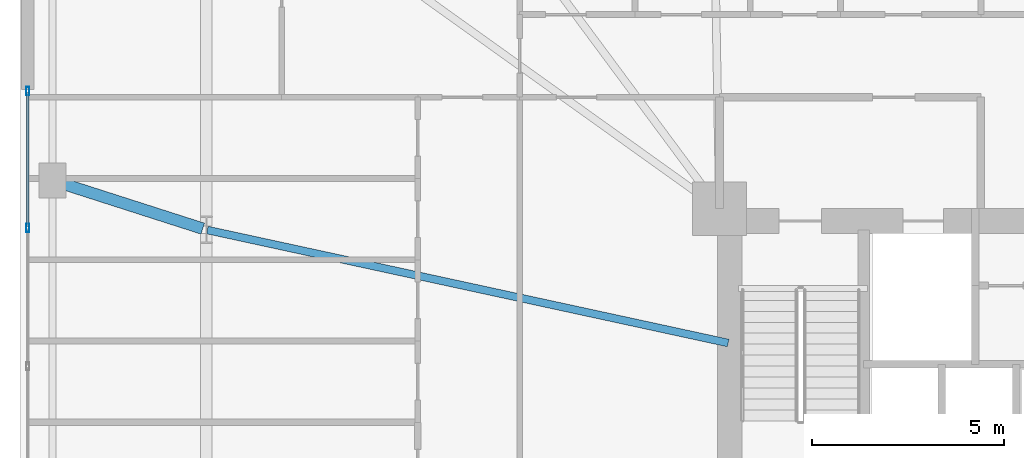
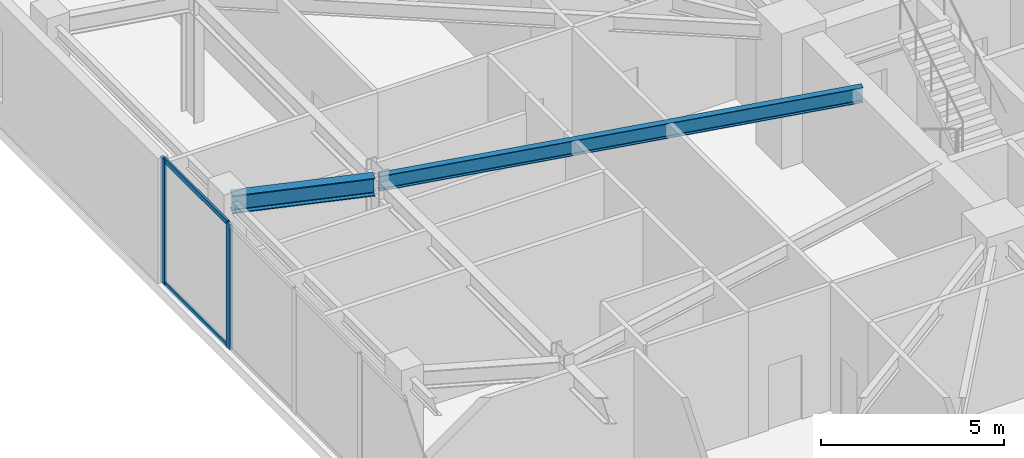
# One storey, part 7 of 21: 4 members, 2 beams, 1 element without a shape of its own.
"""IFC4 building model written with IfcOpenShell, lengths in metres."""

from ifc_helpers import new_model, si_unit, direction, frame, origin, origin_2d, place, context, subcontext, project, spatial, hollow_rectangle, i_section, extrude, material, layer, layer_set, material_profile, profile_set, type_object, element, aggregate, save


model = new_model("IFC4")

# Units and contexts
model_context = context("Model", 3, precision=1e-05, world=origin(), true_north=direction((0.0, 1.0)))
body_context = subcontext(model_context, "Body", "Model", "MODEL_VIEW")
ifc_project = project(units=[si_unit("LENGTHUNIT", "METRE"), si_unit("AREAUNIT", "SQUARE_METRE"), si_unit("VOLUMEUNIT", "CUBIC_METRE"), si_unit("PLANEANGLEUNIT", "RADIAN"), si_unit("MASSUNIT", "GRAM", prefix="KILO")], contexts=[model_context])

# Site, building, storey
site_placement = place(None, origin())
site = spatial("IfcSite", under=ifc_project, at=site_placement, CompositionType="ELEMENT")
building_placement = place(site_placement, origin())
building = spatial("IfcBuilding", under=site, at=building_placement, Name="Qobustan Lattice House", CompositionType="ELEMENT")
storey_placement = place(building_placement, frame((0.0, 0.0, 22.5)))
storey = spatial("IfcBuildingStorey", under=building, at=storey_placement, Name="L05", CompositionType="ELEMENT", Elevation=22.5)

# Beams
ifc_material_1 = material(Name="Steel S355", Category="steel")
ifc_material_profile_1 = material_profile(ifc_material_1, i_section(OverallWidth=0.199951171875, OverallDepth=0.5, WebThickness=0.01025390625, FlangeThickness=0.01611328125, FilletRadius=0.02099609375, at=origin_2d()), Name="IPE500")
ifc_profile_set_1 = profile_set([ifc_material_profile_1], Name="Steel S355")
beam_type_1 = type_object("IfcBeamType", Name="BM-FLG-IPE500", PredefinedType="USERDEFINED", material=ifc_profile_set_1)
beam_1_placement = place(storey_placement, frame((-32.12548828125, 5.044677734375, 3.909912109375), z_axis=(0.97727240275, -0.211987383643, 0.0), x_axis=(0.211987383643, 0.97727240275, 0.0)))
element("IfcBeam", 1, at=beam_1_placement, inside=storey, type_object=beam_type_1, Name="L05 primary floor girder RAD-W2", ObjectType="GIRDER", PredefinedType="USERDEFINED", context=body_context, shape_type="SweptSolid", body=[
    extrude(i_section(OverallWidth=0.199951171875, OverallDepth=0.5, WebThickness=0.01025390625, FlangeThickness=0.01611328125, FilletRadius=0.02099609375, at=origin_2d()), origin(), (0.0, 0.0, 1.0), 13.8662109375),
])
ifc_material_2 = material(Name="Steel S355", Category="steel")
ifc_material_profile_2 = material_profile(ifc_material_2, i_section(OverallWidth=0.300048828125, OverallDepth=0.60009765625, WebThickness=0.015380859375, FlangeThickness=0.030029296875, FilletRadius=0.027099609375, at=origin_2d()), Name="HEB600")
ifc_profile_set_2 = profile_set([ifc_material_profile_2], Name="Steel S355")
beam_type_2 = type_object("IfcBeamType", Name="BM-POD-HEB600", PredefinedType="USERDEFINED", material=ifc_profile_set_2)
beam_2_placement = place(storey_placement, frame((-36.03564453125, 6.296630859375, 3.860107421875), z_axis=(0.952198151545, -0.305481063561, 0.0), x_axis=(0.305481063561, 0.952198151545, 0.0)))
element("IfcBeam", 2, at=beam_2_placement, inside=storey, type_object=beam_type_2, Name="L05 podium radial girder PW3", ObjectType="GIRDER", PredefinedType="USERDEFINED", context=body_context, shape_type="SweptSolid", body=[
    extrude(i_section(OverallWidth=0.300048828125, OverallDepth=0.60009765625, WebThickness=0.015380859375, FlangeThickness=0.030029296875, FilletRadius=0.027099609375, at=origin_2d()), origin(), (0.0, 0.0, 1.0), 3.980712890625),
])

# Curtain wall, members
ifc_material_3 = material(Name="Anodised aluminium and low-E glazing", Category="aluminium")
ifc_layer = layer(ifc_material_3, 0.219970703125)
ifc_layer_set = layer_set([ifc_layer], Name="Anodised aluminium and low-E glazing")
curtain_wall_type = type_object("IfcCurtainWallType", Name="CW-POD-01", PredefinedType="USERDEFINED", material=ifc_layer_set)
curtain_wall_placement = place(storey_placement, origin())
curtain_wall = element("IfcCurtainWall", 3, at=curtain_wall_placement, inside=storey, type_object=curtain_wall_type, Name="L05 W podium colonnade curtain wall", ObjectType="CURTAIN WALL", PredefinedType="USERDEFINED")
ifc_material_4 = material(Name="Anodised aluminium EN AW-6063 T6", Category="aluminium")
ifc_material_profile_3 = material_profile(ifc_material_4, hollow_rectangle(XDim=0.080078125, YDim=0.219970703125, WallThickness=0.0048828125, at=origin_2d()), Name="CWM-220x80")
ifc_profile_set_3 = profile_set([ifc_material_profile_3], Name="Anodised aluminium EN AW-6063 T6")
member_type_1 = type_object("IfcMemberType", Name="CWM-MAIN-220", PredefinedType="MULLION", material=ifc_profile_set_3)
member_1_placement = place(storey_placement, frame((-36.800048828125, 5.10009765625, 0.0), z_axis=(0.0, 0.0, 1.0), x_axis=(-1.0, 0.0, 0.0)))
member_1 = element("IfcMember", 4, at=member_1_placement, type_object=member_type_1, Name="CW-P1 mullion 4", PredefinedType="MULLION", context=body_context, shape_type="SweptSolid", body=[
    extrude(hollow_rectangle(XDim=0.080078125, YDim=0.219970703125, WallThickness=0.0048828125, at=origin_2d()), origin(), (0.0, 0.0, 1.0), 4.159912109375),
])
member_2_placement = place(storey_placement, frame((-36.800048828125, 8.659912109375, 0.0), z_axis=(0.0, 0.0, 1.0), x_axis=(-1.0, 0.0, 0.0)))
member_2 = element("IfcMember", 5, at=member_2_placement, type_object=member_type_1, Name="CW-P1 mullion 5", PredefinedType="MULLION", context=body_context, shape_type="SweptSolid", body=[
    extrude(hollow_rectangle(XDim=0.080078125, YDim=0.219970703125, WallThickness=0.0048828125, at=origin_2d()), origin(), (0.0, 0.0, 1.0), 4.159912109375),
])
ifc_material_5 = material(Name="Anodised aluminium EN AW-6063 T6", Category="aluminium")
ifc_material_profile_4 = material_profile(ifc_material_5, hollow_rectangle(XDim=0.06494140625, YDim=0.159912109375, WallThickness=0.00390625, at=origin_2d()), Name="CWT-160x65")
ifc_profile_set_4 = profile_set([ifc_material_profile_4], Name="Anodised aluminium EN AW-6063 T6")
member_type_2 = type_object("IfcMemberType", Name="CWT-HOR-160", PredefinedType="USERDEFINED", material=ifc_profile_set_4)
member_3_placement = place(storey_placement, frame((-36.800048828125, 5.139892578125, 0.032470703125), z_axis=(0.0, 1.0, 0.0), x_axis=(-1.0, 0.0, 0.0)))
member_3 = element("IfcMember", 6, at=member_3_placement, type_object=member_type_2, Name="CW-P1 transom 4.1", ObjectType="TRANSOM", PredefinedType="USERDEFINED", context=body_context, shape_type="SweptSolid", body=[
    extrude(hollow_rectangle(XDim=0.06494140625, YDim=0.159912109375, WallThickness=0.00390625, at=origin_2d()), origin(), (0.0, 0.0, 1.0), 3.480224609375),
])
member_4_placement = place(storey_placement, frame((-36.800048828125, 5.139892578125, 4.12744140625), z_axis=(0.0, 1.0, 0.0), x_axis=(-1.0, 0.0, 0.0)))
member_4 = element("IfcMember", 7, at=member_4_placement, type_object=member_type_2, Name="CW-P1 transom 4.2", ObjectType="TRANSOM", PredefinedType="USERDEFINED", context=body_context, shape_type="SweptSolid", body=[
    extrude(hollow_rectangle(XDim=0.06494140625, YDim=0.159912109375, WallThickness=0.00390625, at=origin_2d()), origin(), (0.0, 0.0, 1.0), 3.480224609375),
])
aggregate(curtain_wall, [member_1, member_2, member_3, member_4])

save(model, "model.ifc")
